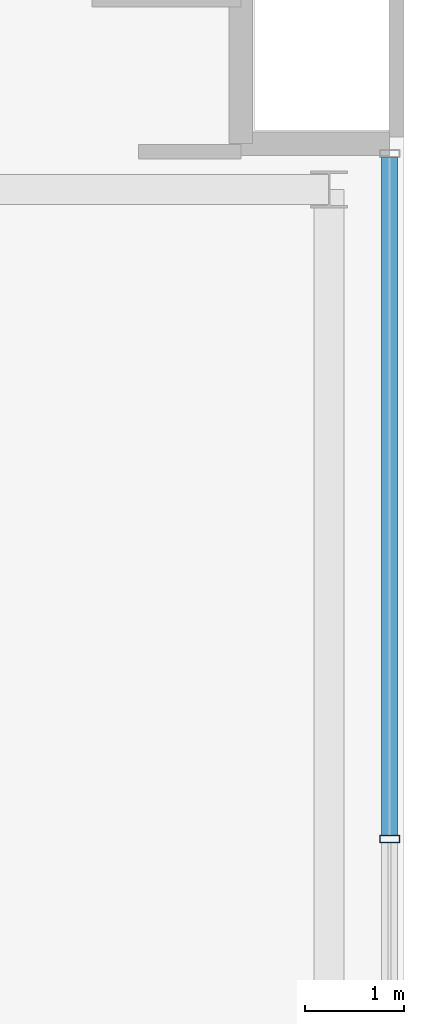
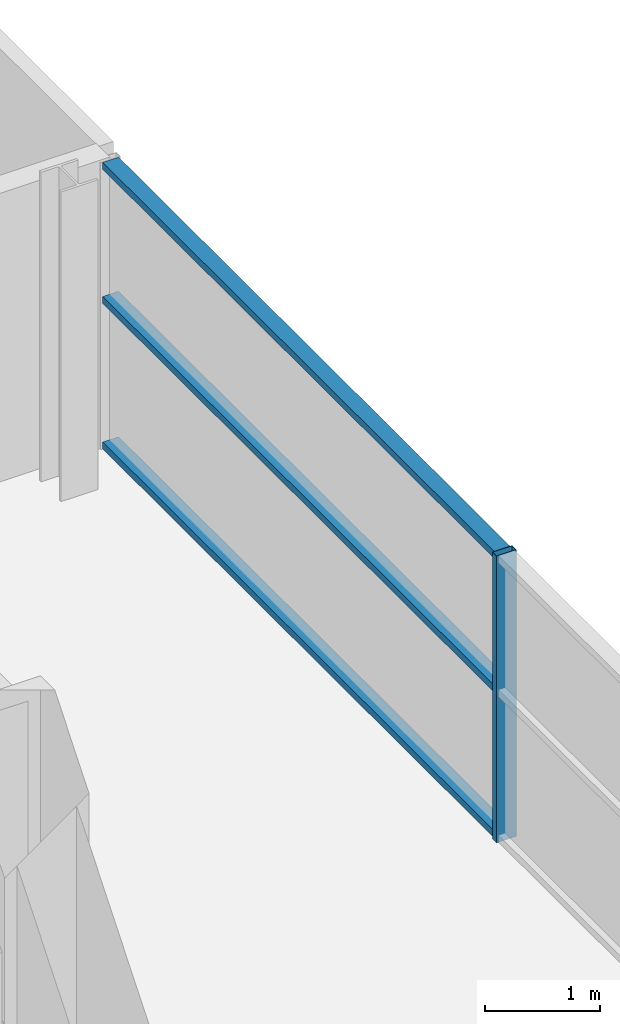
# One storey, part 10 of 22: 4 members, 1 element without a shape of its own.
"""IFC4 building model written with IfcOpenShell, lengths in metres."""

from ifc_helpers import new_model, si_unit, direction, frame, origin, origin_2d, place, context, subcontext, project, spatial, hollow_rectangle, extrude, source, transform, mapped, material, layer, layer_set, material_profile, profile_set, type_object, element, aggregate, save


model = new_model("IFC4")

# Units and contexts
model_context = context("Model", 3, precision=1e-05, world=origin(), true_north=direction((0.0, 1.0)))
body_context = subcontext(model_context, "Body", "Model", "MODEL_VIEW")
ifc_project = project(units=[si_unit("LENGTHUNIT", "METRE"), si_unit("AREAUNIT", "SQUARE_METRE"), si_unit("VOLUMEUNIT", "CUBIC_METRE"), si_unit("PLANEANGLEUNIT", "RADIAN"), si_unit("MASSUNIT", "GRAM", prefix="KILO")], contexts=[model_context])

# Site, building, storey
site_placement = place(None, origin())
site = spatial("IfcSite", under=ifc_project, at=site_placement, CompositionType="ELEMENT")
building_placement = place(site_placement, origin())
building = spatial("IfcBuilding", under=site, at=building_placement, Name="Zarnakvel Exchange Tower", CompositionType="ELEMENT")
storey_placement = place(building_placement, frame((0.0, 0.0, 228.699951171875)))
storey = spatial("IfcBuildingStorey", under=building, at=storey_placement, Name="L64", CompositionType="ELEMENT", Elevation=228.699951171875)

# Curtain wall, members
ifc_material = material(Name="Architectural Bronze Anodised Aluminium", Category="aluminium")
ifc_layer = layer(ifc_material, 0.199951171875)
ifc_layer_set = layer_set([ifc_layer], Name="Architectural Bronze Anodised Aluminium")
curtain_wall_type = type_object("IfcCurtainWallType", Name="CW-04", PredefinedType="NOTDEFINED", material=ifc_layer_set)
curtain_wall_placement = place(storey_placement, origin())
curtain_wall = element("IfcCurtainWall", 1, at=curtain_wall_placement, inside=storey, type_object=curtain_wall_type, Name="L64 Curtain Wall CW-L64-E1 (CW-04)", PredefinedType="NOTDEFINED")
ifc_material_profile_1 = material_profile(ifc_material, hollow_rectangle(XDim=0.199951171875, YDim=0.074951171875, WallThickness=0.0048828125, at=origin_2d()))
ifc_profile_set_1 = profile_set([ifc_material_profile_1], Name="Architectural Bronze Anodised Aluminium")
member_type_1 = type_object("IfcMemberType", Name="CWM-04", PredefinedType="MULLION", material=ifc_profile_set_1)
shared_shape_1 = source(origin(), body_context, "Body", "SweptSolid", [
    extrude(hollow_rectangle(XDim=0.199951171875, YDim=0.074951171875, WallThickness=0.0048828125, at=origin_2d()), origin(), (0.0, 0.0, 1.0), 3.054931640625),
])
member_1_placement = place(storey_placement, frame((19.4599609375, 6.949951171875, 0.0), z_axis=(0.0, 0.0, 1.0), x_axis=(-1.0, 0.0, 0.0)))
member_1 = element("IfcMember", 2, at=member_1_placement, type_object=member_type_1, Name="CW-04 mullion 4", PredefinedType="MULLION", context=body_context, shape_type="MappedRepresentation", body=[
    mapped(shared_shape_1, transform((0.0, 0.0, 0.0), x_axis=(1.0, 0.0, 0.0), y_axis=(0.0, 1.0, 0.0), z_axis=(0.0, 0.0, 1.0), scale=1.0)),
])
ifc_material_profile_2 = material_profile(ifc_material, hollow_rectangle(XDim=0.159912109375, YDim=0.074951171875, WallThickness=0.00390625, at=origin_2d()))
ifc_profile_set_2 = profile_set([ifc_material_profile_2], Name="Architectural Bronze Anodised Aluminium")
member_type_2 = type_object("IfcMemberType", Name="CWT-04", PredefinedType="USERDEFINED", material=ifc_profile_set_2)
shared_shape_2 = source(origin(), body_context, "Body", "SweptSolid", [
    extrude(hollow_rectangle(XDim=0.159912109375, YDim=0.074951171875, WallThickness=0.00390625, at=origin_2d()), origin(), (0.0, 0.0, 1.0), 6.83740234375),
])
member_2_placement = place(storey_placement, frame((19.4599609375, 6.987548828125, 0.03759765625), z_axis=(0.0, 1.0, 0.0), x_axis=(-1.0, 0.0, 0.0)))
member_2 = element("IfcMember", 3, at=member_2_placement, type_object=member_type_2, Name="CW-04 transom 4.1", ObjectType="TRANSOM", PredefinedType="USERDEFINED", context=body_context, shape_type="MappedRepresentation", body=[
    mapped(shared_shape_2, transform((0.0, 0.0, 0.0), x_axis=(1.0, 0.0, 0.0), y_axis=(0.0, 1.0, 0.0), z_axis=(0.0, 0.0, 1.0), scale=1.0)),
])
member_3_placement = place(storey_placement, frame((19.4599609375, 6.987548828125, 1.588623046875), z_axis=(0.0, 1.0, 0.0), x_axis=(-1.0, 0.0, 0.0)))
member_3 = element("IfcMember", 4, at=member_3_placement, type_object=member_type_2, Name="CW-04 transom 4.2", ObjectType="TRANSOM", PredefinedType="USERDEFINED", context=body_context, shape_type="MappedRepresentation", body=[
    mapped(shared_shape_2, transform((0.0, 0.0, 0.0), x_axis=(1.0, 0.0, 0.0), y_axis=(0.0, 1.0, 0.0), z_axis=(0.0, 0.0, 1.0), scale=1.0)),
])
member_4_placement = place(storey_placement, frame((19.4599609375, 6.987548828125, 3.017578125), z_axis=(0.0, 1.0, 0.0), x_axis=(-1.0, 0.0, 0.0)))
member_4 = element("IfcMember", 5, at=member_4_placement, type_object=member_type_2, Name="CW-04 transom 4.3", ObjectType="TRANSOM", PredefinedType="USERDEFINED", context=body_context, shape_type="MappedRepresentation", body=[
    mapped(shared_shape_2, transform((0.0, 0.0, 0.0), x_axis=(1.0, 0.0, 0.0), y_axis=(0.0, 1.0, 0.0), z_axis=(0.0, 0.0, 1.0), scale=1.0)),
])
aggregate(curtain_wall, [member_1, member_2, member_3, member_4])

save(model, "model.ifc")
